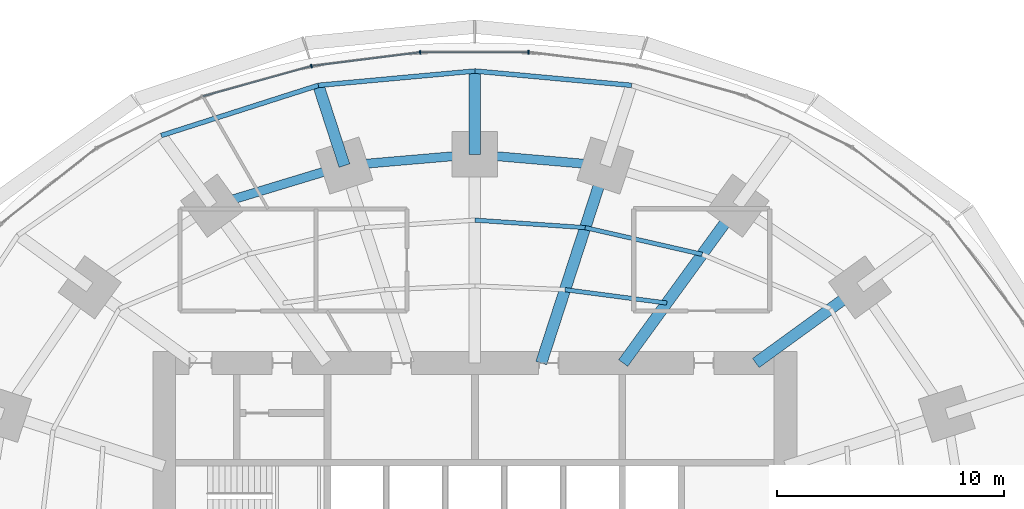
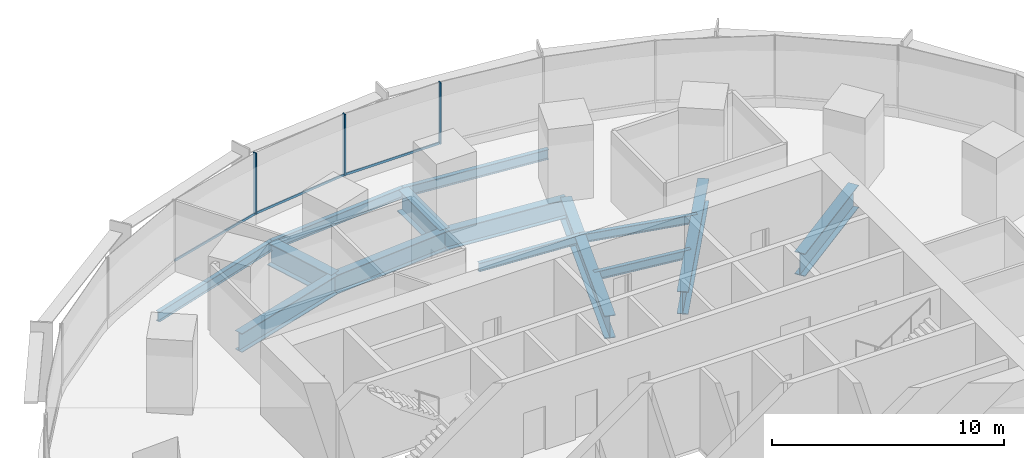
# One storey, part 8 of 15: 14 beams, 6 members, 1 element without a shape of its own.
"""IFC4 building model written with IfcOpenShell, lengths in metres."""

from ifc_helpers import new_model, si_unit, direction, frame, origin, origin_2d, place, context, subcontext, project, spatial, rectangle, i_section, extrude, material, material_profile, profile_set, type_object, element, aggregate, save


model = new_model("IFC4")

# Units and contexts
model_context = context("Model", 3, precision=1e-05, world=origin(), true_north=direction((0.0, 1.0)))
body_context = subcontext(model_context, "Body", "Model", "MODEL_VIEW")
ifc_project = project(units=[si_unit("LENGTHUNIT", "METRE"), si_unit("AREAUNIT", "SQUARE_METRE"), si_unit("VOLUMEUNIT", "CUBIC_METRE"), si_unit("PLANEANGLEUNIT", "RADIAN"), si_unit("MASSUNIT", "GRAM", prefix="KILO")], contexts=[model_context])

# Site, building, storey
site_placement = place(None, origin())
site = spatial("IfcSite", under=ifc_project, at=site_placement, CompositionType="ELEMENT")
building_placement = place(site_placement, origin())
building = spatial("IfcBuilding", under=site, at=building_placement, Name="Marramba Exchange Tower", CompositionType="ELEMENT")
storey_placement = place(building_placement, frame((0.0, 0.0, 23.800048828125)))
storey = spatial("IfcBuildingStorey", under=building, at=storey_placement, Name="L05", CompositionType="ELEMENT", Elevation=23.800048828125)

# Beams
ifc_material_1 = material(Name="Steel AS/NZS 3679.2 grade 300", Category="steel")
ifc_material_profile_1 = material_profile(ifc_material_1, i_section(OverallWidth=0.5, OverallDepth=1.199951171875, WebThickness=0.01611328125, FlangeThickness=0.0400390625, at=origin_2d()), Name="1200WB455")
ifc_profile_set_1 = profile_set([ifc_material_profile_1], Name="Steel AS/NZS 3679.2 grade 300")
beam_type_1 = type_object("IfcBeamType", Name="Cantilever girder 1200WB455", PredefinedType="BEAM", material=ifc_profile_set_1)
beam_1_placement = place(storey_placement, frame((0.0, 18.2041015625, -0.760009765625), z_axis=(0.0, 1.0, 0.0), x_axis=(-1.0, 0.0, 0.0)))
element("IfcBeam", 1, at=beam_1_placement, inside=storey, type_object=beam_type_1, Name="Cantilever girder L05 TC06", PredefinedType="BEAM", context=body_context, shape_type="SweptSolid", body=[
    extrude(i_section(OverallWidth=0.5, OverallDepth=1.199951171875, WebThickness=0.01611328125, FlangeThickness=0.0400390625, at=origin_2d()), origin(), (0.0, 0.0, 1.0), 3.673828125),
])
beam_2_placement = place(storey_placement, frame((-5.75390625, 17.70849609375, -0.760009765625), z_axis=(-0.308973290646, 0.951070715387, 0.0), x_axis=(-0.951070715387, -0.308973290646, 0.0)))
element("IfcBeam", 2, at=beam_2_placement, inside=storey, type_object=beam_type_1, Name="Cantilever girder L05 TC07", PredefinedType="BEAM", context=body_context, shape_type="SweptSolid", body=[
    extrude(i_section(OverallWidth=0.5, OverallDepth=1.199951171875, WebThickness=0.01611328125, FlangeThickness=0.0400390625, at=origin_2d()), origin(), (0.0, 0.0, 1.0), 3.72021484375),
])
ifc_material_2 = material(Name="Steel AS/NZS 3679.1 grade 300", Category="steel")
ifc_material_profile_2 = material_profile(ifc_material_2, i_section(OverallWidth=0.18994140625, OverallDepth=0.4541015625, WebThickness=0.008544921875, FlangeThickness=0.0126953125, FilletRadius=0.011474609375, at=origin_2d()), Name="460UB67.1")
ifc_profile_set_2 = profile_set([ifc_material_profile_2], Name="Steel AS/NZS 3679.1 grade 300")
beam_type_2 = type_object("IfcBeamType", Name="Floor joist 460UB67.1", PredefinedType="JOIST", material=ifc_profile_set_2)
beam_3_placement = place(storey_placement, frame((8.4619140625, 11.646728515625, -0.386962890625), z_axis=(-0.991480538255, 0.130254912618, 0.0), x_axis=(-0.130254912618, -0.991480538255, 0.0)))
element("IfcBeam", 3, at=beam_3_placement, inside=storey, type_object=beam_type_2, Name="Joist L05 bay 04 row 1", PredefinedType="JOIST", context=body_context, shape_type="SweptSolid", body=[
    extrude(i_section(OverallWidth=0.18994140625, OverallDepth=0.4541015625, WebThickness=0.008544921875, FlangeThickness=0.0126953125, FilletRadius=0.011474609375, at=origin_2d()), origin(), (0.0, 0.0, 1.0), 4.524658203125),
])
beam_4_placement = place(storey_placement, frame((10.021728515625, 13.793701171875, -0.386962890625), z_axis=(-0.974859652292, 0.222819788916, 0.0), x_axis=(-0.222819788916, -0.974859652292, 0.0)))
element("IfcBeam", 4, at=beam_4_placement, inside=storey, type_object=beam_type_2, Name="Joist L05 bay 04 row 2", PredefinedType="JOIST", context=body_context, shape_type="SweptSolid", body=[
    extrude(i_section(OverallWidth=0.18994140625, OverallDepth=0.4541015625, WebThickness=0.008544921875, FlangeThickness=0.0126953125, FilletRadius=0.011474609375, at=origin_2d()), origin(), (0.0, 0.0, 1.0), 5.2900390625),
])
beam_5_placement = place(storey_placement, frame((4.86474609375, 14.972412109375, -0.386962890625), z_axis=(-0.997702652202, 0.067745241816, 0.0), x_axis=(-0.067745241816, -0.997702652202, 0.0)))
element("IfcBeam", 5, at=beam_5_placement, inside=storey, type_object=beam_type_2, Name="Joist L05 bay 05 row 2", PredefinedType="JOIST", context=body_context, shape_type="SweptSolid", body=[
    extrude(i_section(OverallWidth=0.18994140625, OverallDepth=0.4541015625, WebThickness=0.008544921875, FlangeThickness=0.0126953125, FilletRadius=0.011474609375, at=origin_2d()), origin(), (0.0, 0.0, 1.0), 4.8759765625),
])
ifc_material_profile_3 = material_profile(ifc_material_1, i_section(OverallWidth=0.5, OverallDepth=1.199951171875, WebThickness=0.01611328125, FlangeThickness=0.0400390625, at=origin_2d()), Name="1200WB455")
ifc_profile_set_3 = profile_set([ifc_material_profile_3], Name="Steel AS/NZS 3679.2 grade 300")
beam_type_3 = type_object("IfcBeamType", Name="Radial girder 1200WB455", PredefinedType="BEAM", material=ifc_profile_set_3)
beam_6_placement = place(storey_placement, frame((12.387451171875, 9.0, -0.760009765625), z_axis=(0.809025746925, 0.587773205252, 0.0), x_axis=(-0.587773205252, 0.809025746925, 0.0)))
element("IfcBeam", 6, at=beam_6_placement, inside=storey, type_object=beam_type_3, Name="Radial girder L05 TC03", PredefinedType="BEAM", context=body_context, shape_type="SweptSolid", body=[
    extrude(i_section(OverallWidth=0.5, OverallDepth=1.199951171875, WebThickness=0.01611328125, FlangeThickness=0.0400390625, at=origin_2d()), origin(), (0.0, 0.0, 1.0), 5.683837890625),
])
beam_7_placement = place(storey_placement, frame((6.538818359375, 9.0, -0.760009765625), z_axis=(0.587782439969, 0.80901903764, 0.0), x_axis=(-0.80901903764, 0.587782439969, 0.0)))
element("IfcBeam", 7, at=beam_7_placement, inside=storey, type_object=beam_type_3, Name="Radial girder L05 TC04", PredefinedType="BEAM", context=body_context, shape_type="SweptSolid", body=[
    extrude(i_section(OverallWidth=0.5, OverallDepth=1.199951171875, WebThickness=0.01611328125, FlangeThickness=0.0400390625, at=origin_2d()), origin(), (0.0, 0.0, 1.0), 8.578857421875),
])
beam_8_placement = place(storey_placement, frame((2.92431640625, 9.0, -0.760009765625), z_axis=(0.309019754162, 0.951055619582, 0.0), x_axis=(-0.951055619582, 0.309019754162, 0.0)))
element("IfcBeam", 8, at=beam_8_placement, inside=storey, type_object=beam_type_3, Name="Radial girder L05 TC05", PredefinedType="BEAM", context=body_context, shape_type="SweptSolid", body=[
    extrude(i_section(OverallWidth=0.5, OverallDepth=1.199951171875, WebThickness=0.01611328125, FlangeThickness=0.0400390625, at=origin_2d()), origin(), (0.0, 0.0, 1.0), 9.15673828125),
])
ifc_material_profile_4 = material_profile(ifc_material_1, i_section(OverallWidth=0.39990234375, OverallDepth=1.0, WebThickness=0.01611328125, FlangeThickness=0.031982421875, at=origin_2d()), Name="1000WB322")
ifc_profile_set_4 = profile_set([ifc_material_profile_4], Name="Steel AS/NZS 3679.2 grade 300")
beam_type_4 = type_object("IfcBeamType", Name="Ring beam 1000WB322", PredefinedType="SPANDREL", material=ifc_profile_set_4)
for number, where, z_axis, x_axis, name in (
    (9, (5.75390625, 17.70849609375, -0.66015625), (-0.996311003275, 0.085815993578, 0.0), (-0.085815993578, -0.996311003275, 0.0), "Ring beam L05 TC05-TC06"),
    (10, (0.0, 18.2041015625, -0.66015625), (-0.996311003275, -0.085815993578, 0.0), (0.085815993578, -0.996311003275, 0.0), "Ring beam L05 TC06-TC07"),
):
    element("IfcBeam", number, at=place(storey_placement, frame(where, z_axis=z_axis, x_axis=x_axis)), inside=storey, type_object=beam_type_4, Name=name, PredefinedType="SPANDREL", context=body_context, shape_type="SweptSolid", body=[
        extrude(i_section(OverallWidth=0.39990234375, OverallDepth=1.0, WebThickness=0.01611328125, FlangeThickness=0.031982421875, at=origin_2d()), origin(), (0.0, 0.0, 1.0), 5.775146484375),
    ])
beam_9_placement = place(storey_placement, frame((-5.75390625, 17.70849609375, -0.66015625), z_axis=(-0.956924542524, -0.290336735387, 0.0), x_axis=(0.290336735387, -0.956924542524, 0.0)))
element("IfcBeam", 11, at=beam_9_placement, inside=storey, type_object=beam_type_4, Name="Ring beam L05 TC07-TC08", PredefinedType="SPANDREL", context=body_context, shape_type="SweptSolid", body=[
    extrude(i_section(OverallWidth=0.39990234375, OverallDepth=1.0, WebThickness=0.01611328125, FlangeThickness=0.031982421875, at=origin_2d()), origin(), (0.0, 0.0, 1.0), 6.089599609375),
])
ifc_material_profile_5 = material_profile(ifc_material_2, i_section(OverallWidth=0.208984375, OverallDepth=0.528076171875, WebThickness=0.009521484375, FlangeThickness=0.01318359375, FilletRadius=0.013916015625, at=origin_2d()), Name="530UB82.0")
ifc_profile_set_5 = profile_set([ifc_material_profile_5], Name="Steel AS/NZS 3679.1 grade 300")
beam_type_5 = type_object("IfcBeamType", Name="Slab edge beam 530UB82.0", PredefinedType="SPANDREL", material=ifc_profile_set_5)
for number, where, z_axis, x_axis, name in (
    (12, (6.9033203125, 21.24658203125, -0.424072265625), (-0.995843984921, 0.091075560369, 0.0), (-0.091075560369, -0.995843984921, 0.0), "Slab edge beam L05 TC05-TC06"),
    (13, (0.0, 21.8779296875, -0.424072265625), (-0.995843984921, -0.091075560369, 0.0), (0.091075560369, -0.995843984921, 0.0), "Slab edge beam L05 TC06-TC07"),
):
    element("IfcBeam", number, at=place(storey_placement, frame(where, z_axis=z_axis, x_axis=x_axis)), inside=storey, type_object=beam_type_5, Name=name, PredefinedType="SPANDREL", context=body_context, shape_type="SweptSolid", body=[
        extrude(i_section(OverallWidth=0.208984375, OverallDepth=0.528076171875, WebThickness=0.009521484375, FlangeThickness=0.01318359375, FilletRadius=0.013916015625, at=origin_2d()), origin(), (0.0, 0.0, 1.0), 6.93212890625),
    ])
beam_10_placement = place(storey_placement, frame((-6.9033203125, 21.24658203125, -0.424072265625), z_axis=(-0.952577642997, -0.304295635957, 0.0), x_axis=(0.304295635957, -0.952577642997, 0.0)))
element("IfcBeam", 14, at=beam_10_placement, inside=storey, type_object=beam_type_5, Name="Slab edge beam L05 TC07-TC08", PredefinedType="SPANDREL", context=body_context, shape_type="SweptSolid", body=[
    extrude(i_section(OverallWidth=0.208984375, OverallDepth=0.528076171875, WebThickness=0.009521484375, FlangeThickness=0.01318359375, FilletRadius=0.013916015625, at=origin_2d()), origin(), (0.0, 0.0, 1.0), 7.2705078125),
])

# Curtain wall, members
ifc_material_3 = material(Name="Aluminium framing, bronze anodised", Category="aluminium")
curtain_wall_type = type_object("IfcCurtainWallType", Name="Trading floor ribbon curtain wall", PredefinedType="USERDEFINED", material=ifc_material_3)
curtain_wall_placement = place(storey_placement, origin())
curtain_wall = element("IfcCurtainWall", 15, at=curtain_wall_placement, inside=storey, type_object=curtain_wall_type, Name="Curtain wall CW3 L05 F06-F10", ObjectType="RIBBON CURTAIN WALL", PredefinedType="USERDEFINED")
ifc_material_4 = material(Name="Aluminium mullion, bronze anodised", Category="aluminium")
ifc_material_profile_6 = material_profile(ifc_material_4, rectangle(XDim=0.159912109375, YDim=0.06005859375, at=origin_2d()), Name="CW3 mullion 60x160")
ifc_profile_set_6 = profile_set([ifc_material_profile_6], Name="Aluminium mullion, bronze anodised")
member_type_1 = type_object("IfcMemberType", Name="Trading floor ribbon curtain wall mullion", PredefinedType="MULLION", material=ifc_profile_set_6)
member_1_placement = place(storey_placement, frame((2.3564453125, 22.7060546875, 0.800048828125), z_axis=(0.0, 0.0, 1.0), x_axis=(0.0, -1.0, 0.0)))
member_1 = element("IfcMember", 16, at=member_1_placement, type_object=member_type_1, Name="CW3 mullion 1", PredefinedType="MULLION", context=body_context, shape_type="SweptSolid", body=[
    extrude(rectangle(XDim=0.159912109375, YDim=0.06005859375, at=origin_2d()), origin(), (0.0, 0.0, 1.0), 3.239990234375),
])
member_2_placement = place(storey_placement, frame((-2.416259765625, 22.7021484375, 0.800048828125), z_axis=(0.0, 0.0, 1.0), x_axis=(0.124872723099, -0.992172768738, 0.0)))
member_2 = element("IfcMember", 17, at=member_2_placement, type_object=member_type_1, Name="CW3 mullion 1", PredefinedType="MULLION", context=body_context, shape_type="SweptSolid", body=[
    extrude(rectangle(XDim=0.159912109375, YDim=0.06005859375, at=origin_2d()), origin(), (0.0, 0.0, 1.0), 3.239990234375),
])
member_3_placement = place(storey_placement, frame((-7.21044921875, 22.094482421875, 0.800048828125), z_axis=(0.0, 0.0, 1.0), x_axis=(0.267808735815, -0.963472096649, 0.0)))
member_3 = element("IfcMember", 18, at=member_3_placement, type_object=member_type_1, Name="CW3 mullion 1", PredefinedType="MULLION", context=body_context, shape_type="SweptSolid", body=[
    extrude(rectangle(XDim=0.159912109375, YDim=0.06005859375, at=origin_2d()), origin(), (0.0, 0.0, 1.0), 3.239990234375),
])
ifc_material_5 = material(Name="Aluminium transom, bronze anodised", Category="aluminium")
ifc_material_profile_7 = material_profile(ifc_material_5, rectangle(XDim=0.06005859375, YDim=0.1201171875, at=origin_2d()), Name="CW3 transom 60x120")
ifc_profile_set_7 = profile_set([ifc_material_profile_7], Name="Aluminium transom, bronze anodised")
member_type_2 = type_object("IfcMemberType", Name="Trading floor ribbon curtain wall transom", PredefinedType="USERDEFINED", material=ifc_profile_set_7)
member_4_placement = place(storey_placement, frame((2.326416015625, 22.7060546875, 0.829833984375), z_axis=(-1.0, 0.0, 0.0), x_axis=(0.0, -1.0, 0.0)))
member_4 = element("IfcMember", 19, at=member_4_placement, type_object=member_type_2, Name="CW3 sill transom", ObjectType="TRANSOM", PredefinedType="USERDEFINED", context=body_context, shape_type="SweptSolid", body=[
    extrude(rectangle(XDim=0.06005859375, YDim=0.1201171875, at=origin_2d()), origin(), (0.0, 0.0, 1.0), 4.712890625),
])
member_5_placement = place(storey_placement, frame((-2.446044921875, 22.698486328125, 0.829833984375), z_axis=(-0.992174445211, -0.124859402009, 0.0), x_axis=(0.124859402009, -0.992174445211, 0.0)))
member_5 = element("IfcMember", 20, at=member_5_placement, type_object=member_type_2, Name="CW3 sill transom", ObjectType="TRANSOM", PredefinedType="USERDEFINED", context=body_context, shape_type="SweptSolid", body=[
    extrude(rectangle(XDim=0.06005859375, YDim=0.1201171875, at=origin_2d()), origin(), (0.0, 0.0, 1.0), 4.77294921875),
])
member_6_placement = place(storey_placement, frame((-7.2392578125, 22.08642578125, 0.829833984375), z_axis=(-0.963472490071, -0.267807320431, 0.0), x_axis=(0.267807320431, -0.963472490071, 0.0)))
member_6 = element("IfcMember", 21, at=member_6_placement, type_object=member_type_2, Name="CW3 sill transom", ObjectType="TRANSOM", PredefinedType="USERDEFINED", context=body_context, shape_type="SweptSolid", body=[
    extrude(rectangle(XDim=0.06005859375, YDim=0.1201171875, at=origin_2d()), origin(), (0.0, 0.0, 1.0), 4.93017578125),
])
aggregate(curtain_wall, [member_1, member_4, member_2, member_5, member_3, member_6])

save(model, "model.ifc")
